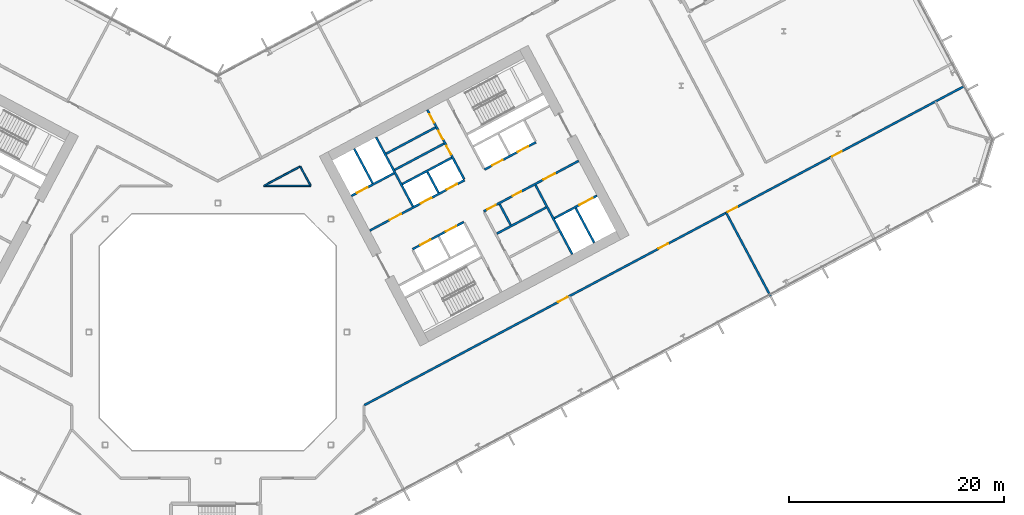
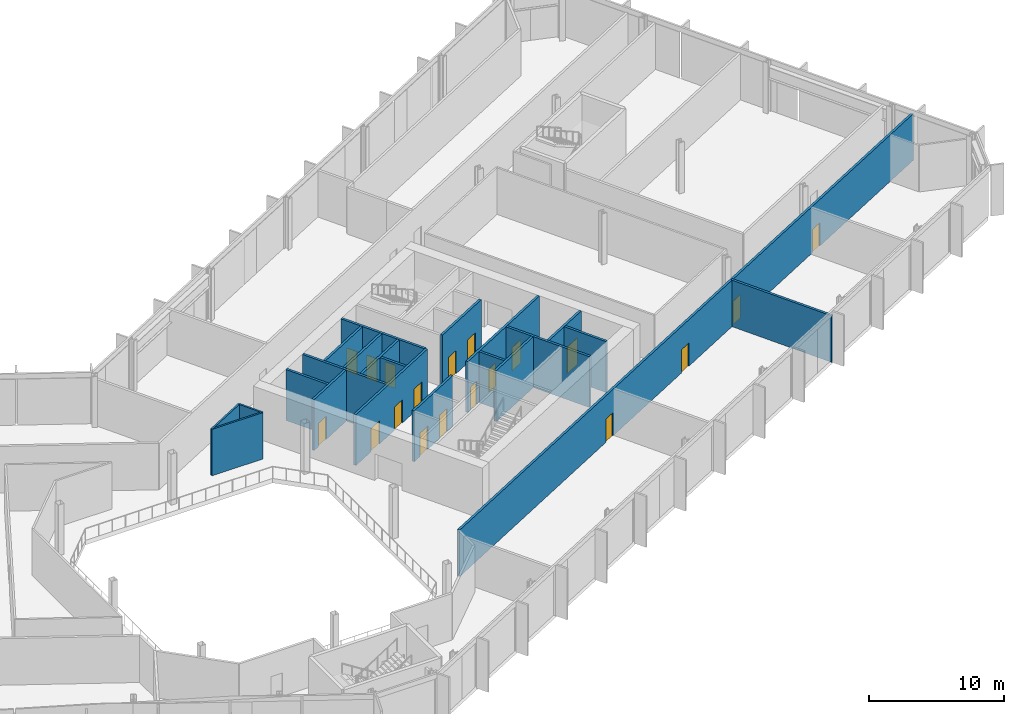
# One storey, part 18 of 32: 22 walls, 19 doors, 19 openings.
"""IFC4 building model written with IfcOpenShell, lengths in metres."""

from ifc_helpers import new_model, si_unit, direction, frame, frame_2d, origin, place, context, subcontext, project, spatial, rectangle, extrude, material, layer, layer_set, type_object, element, fill, save


model = new_model("IFC4")

# Units and contexts
model_context = context("Model", 3, precision=1e-05, world=origin(), true_north=direction((0.0, 1.0)))
body_context = subcontext(model_context, "Body", "Model", "MODEL_VIEW")
ifc_project = project(units=[si_unit("LENGTHUNIT", "METRE"), si_unit("AREAUNIT", "SQUARE_METRE"), si_unit("VOLUMEUNIT", "CUBIC_METRE"), si_unit("PLANEANGLEUNIT", "RADIAN"), si_unit("MASSUNIT", "GRAM", prefix="KILO")], contexts=[model_context])

# Site, building, storey
site_placement = place(None, origin())
site = spatial("IfcSite", under=ifc_project, at=site_placement, CompositionType="ELEMENT")
building_placement = place(site_placement, origin())
building = spatial("IfcBuilding", under=site, at=building_placement, Name="Cormorant Relay Tower", CompositionType="ELEMENT")
storey_placement = place(building_placement, frame((0.0, 0.0, 75.39990234375)))
storey = spatial("IfcBuildingStorey", under=building, at=storey_placement, Name="L14", CompositionType="ELEMENT", Elevation=75.39990234375)

# Walls
ifc_material_1 = material(Name="Concrete 40 MPa", Category="concrete")
ifc_layer_1 = layer(ifc_material_1, 0.199951171875)
ifc_layer_set_1 = layer_set([ifc_layer_1], Name="Core internal wall 200")
wall_type_1 = type_object("IfcWallType", Name="Core internal wall 200", PredefinedType="SOLIDWALL", material=ifc_layer_set_1)
for number, where, z_axis, x_axis, name in (
    (1, (20.522216796875, 12.950439453125, 0.0), (0.0, 0.0, 1.0), (-0.469401318492, 0.882984938828, 0.0), "L14 core B shaft and room wall"),
    (2, (27.236083984375, 9.951416015625, 0.0), (0.0, 0.0, 1.0), (-0.4694473164, 0.882960484464, 0.0), "L14 core B shaft and room wall"),
):
    element("IfcWall", number, at=place(storey_placement, frame(where, z_axis=z_axis, x_axis=x_axis)), inside=storey, type_object=wall_type_1, Name=name, PredefinedType="SOLIDWALL", context=body_context, shape_type="SweptSolid", body=[
        extrude(rectangle(XDim=2.199951171875, YDim=0.199951171875, at=frame_2d((1.10009765625, 0.0))), origin(), (0.0, 0.0, 1.0), 4.60009765625),
    ])
for number, where, z_axis, x_axis, name in (
    (3, (16.442626953125, 15.085205078125, 0.0), (0.0, 0.0, 1.0), (0.882953967957, 0.469459572775, 0.0), "L14 core B shaft and room wall"),
    (4, (15.64453125, 16.586181640625, 0.0), (0.0, 0.0, 1.0), (0.882953967957, 0.469459572775, 0.0), "L14 core B shaft and room wall"),
):
    element("IfcWall", number, at=place(storey_placement, frame(where, z_axis=z_axis, x_axis=x_axis)), inside=storey, type_object=wall_type_1, Name=name, PredefinedType="SOLIDWALL", context=body_context, shape_type="SweptSolid", body=[
        extrude(rectangle(XDim=5.199951171875, YDim=0.199951171875, at=frame_2d((2.60009765625, 0.0))), origin(), (0.0, 0.0, 1.0), 4.60009765625),
    ])
ifc_material_2 = material(Name="Concrete 50 MPa", Category="concrete")
ifc_layer_2 = layer(ifc_material_2, 0.199951171875)
ifc_layer_set_2 = layer_set([ifc_layer_2], Name="Core shaft wall 200")
wall_type_2 = type_object("IfcWallType", Name="Core shaft wall 200", PredefinedType="SHEAR", material=ifc_layer_set_2)
wall_1_placement = place(storey_placement, frame((14.39404296875, 13.825927734375, 0.0), z_axis=(0.0, 0.0, 1.0), x_axis=(-0.469494272526, 0.882935517501, 0.0)))
element("IfcWall", 5, at=wall_1_placement, inside=storey, type_object=wall_type_2, Name="L14 core B shaft wall", PredefinedType="SHEAR", context=body_context, shape_type="SweptSolid", body=[
    extrude(rectangle(XDim=3.64990234375, YDim=0.199951171875, at=frame_2d((1.824951171875, 0.0))), origin(), (0.0, 0.0, 1.0), 4.60009765625),
])
wall_2_placement = place(storey_placement, frame((18.138427734375, 11.682861328125, 0.0), z_axis=(0.0, 0.0, 1.0), x_axis=(-0.469480409012, 0.88294288918, 0.0)))
element("IfcWall", 6, at=wall_2_placement, inside=storey, type_object=wall_type_2, Name="L14 core B shaft wall", PredefinedType="SHEAR", context=body_context, shape_type="SweptSolid", body=[
    extrude(rectangle(XDim=7.300048828125, YDim=0.199951171875, at=frame_2d((3.64990234375, 0.0))), origin(), (0.0, 0.0, 1.0), 4.60009765625),
])

# Wall, openings, doors
wall_3_placement = place(storey_placement, frame((22.90625, 14.218017578125, 0.0), z_axis=(0.0, 0.0, 1.0), x_axis=(-0.469480409012, 0.88294288918, 0.0)))
wall_3 = element("IfcWall", 7, at=wall_3_placement, inside=storey, type_object=wall_type_2, Name="L14 core B shaft wall", PredefinedType="SHEAR", context=body_context, shape_type="SweptSolid", body=[
    extrude(rectangle(XDim=7.300048828125, YDim=0.199951171875, at=frame_2d((3.64990234375, 0.0))), origin(), (0.0, 0.0, 1.0), 4.60009765625),
])
opening_1_placement = place(wall_3_placement, frame((2.60009765625, 0.0, 0.0)))
opening_1 = element("IfcOpeningElement", 8, at=opening_1_placement, cuts=wall_3, Name="Opening CDD-121", PredefinedType="OPENING", context=body_context, shape_type="SweptSolid", body=[
    extrude(rectangle(XDim=0.89990234375, YDim=2.10009765625, at=frame_2d((0.449951171875, 1.050048828125))), frame((0.0, 0.10986328125, 0.0), z_axis=(0.0, -1.0, 0.0), x_axis=(1.0, 0.0, 0.0)), (0.0, 0.0, 1.0), 0.219970703125),
])
opening_2_placement = place(wall_3_placement, frame((4.199951171875, 0.0, 0.0)))
opening_2 = element("IfcOpeningElement", 9, at=opening_2_placement, cuts=wall_3, Name="Opening CDD-122", PredefinedType="OPENING", context=body_context, shape_type="SweptSolid", body=[
    extrude(rectangle(XDim=0.89990234375, YDim=2.10009765625, at=frame_2d((0.449951171875, 1.050048828125))), frame((0.0, 0.10986328125, 0.0), z_axis=(0.0, -1.0, 0.0), x_axis=(1.0, 0.0, 0.0)), (0.0, 0.0, 1.0), 0.219970703125),
])
opening_3_placement = place(wall_3_placement, frame((5.949951171875, 0.0, 0.0)))
opening_3 = element("IfcOpeningElement", 10, at=opening_3_placement, cuts=wall_3, Name="Opening CDD-123", PredefinedType="OPENING", context=body_context, shape_type="SweptSolid", body=[
    extrude(rectangle(XDim=0.89990234375, YDim=2.10009765625, at=frame_2d((0.449951171875, 1.050048828125))), frame((0.0, 0.10986328125, 0.0), z_axis=(0.0, -1.0, 0.0), x_axis=(1.0, 0.0, 0.0)), (0.0, 0.0, 1.0), 0.219970703125),
])
ifc_material_3 = material(Name="Steel fire door", Category="steel")
door_type_1 = type_object("IfcDoorType", Name="Core room door 900x2100", OperationType="SINGLE_SWING_LEFT", PredefinedType="DOOR", material=ifc_material_3)
door_1_placement = place(opening_1_placement, origin())
door_1 = element("IfcDoor", 11, at=door_1_placement, inside=storey, type_object=door_type_1, Name="Core room door 900x2100", OperationType="SINGLE_SWING_RIGHT", OverallHeight=2.10009765625, OverallWidth=0.89990234375, PredefinedType="DOOR", context=body_context, shape_type="SweptSolid", body=[
    extrude(rectangle(XDim=0.89990234375, YDim=2.10009765625, at=frame_2d((0.449951171875, 1.050048828125))), frame((0.0, 0.02490234375, 0.0), z_axis=(0.0, -1.0, 0.0), x_axis=(1.0, 0.0, 0.0)), (0.0, 0.0, 1.0), 0.050048828125),
])
fill(opening_1, door_1)
door_2_placement = place(opening_2_placement, origin())
door_2 = element("IfcDoor", 12, at=door_2_placement, inside=storey, type_object=door_type_1, Name="Core room door 900x2100", OperationType="SINGLE_SWING_RIGHT", OverallHeight=2.10009765625, OverallWidth=0.89990234375, PredefinedType="DOOR", context=body_context, shape_type="SweptSolid", body=[
    extrude(rectangle(XDim=0.89990234375, YDim=2.10009765625, at=frame_2d((0.449951171875, 1.050048828125))), frame((0.0, 0.02490234375, 0.0), z_axis=(0.0, -1.0, 0.0), x_axis=(1.0, 0.0, 0.0)), (0.0, 0.0, 1.0), 0.050048828125),
])
fill(opening_2, door_2)
door_3_placement = place(opening_3_placement, origin())
door_3 = element("IfcDoor", 13, at=door_3_placement, inside=storey, type_object=door_type_1, Name="Core room door 900x2100", OperationType="SINGLE_SWING_LEFT", OverallHeight=2.10009765625, OverallWidth=0.89990234375, PredefinedType="DOOR", context=body_context, shape_type="SweptSolid", body=[
    extrude(rectangle(XDim=0.89990234375, YDim=2.10009765625, at=frame_2d((0.449951171875, 1.050048828125))), frame((0.0, 0.02490234375, 0.0), z_axis=(0.0, -1.0, 0.0), x_axis=(1.0, 0.0, 0.0)), (0.0, 0.0, 1.0), 0.050048828125),
])
fill(opening_3, door_3)

# Walls
wall_4_placement = place(storey_placement, frame((32.968017578125, 7.222900390625, 0.0), z_axis=(0.0, 0.0, 1.0), x_axis=(-0.469480409012, 0.88294288918, 0.0)))
element("IfcWall", 14, at=wall_4_placement, inside=storey, type_object=wall_type_2, Name="L14 core B shaft wall", PredefinedType="SHEAR", context=body_context, shape_type="SweptSolid", body=[
    extrude(rectangle(XDim=7.300048828125, YDim=0.199951171875, at=frame_2d((3.64990234375, 0.0))), origin(), (0.0, 0.0, 1.0), 4.60009765625),
])
wall_5_placement = place(storey_placement, frame((34.998779296875, 8.302734375, 0.0), z_axis=(0.0, 0.0, 1.0), x_axis=(-0.4694665462, 0.882950260207, 0.0)))
element("IfcWall", 15, at=wall_5_placement, inside=storey, type_object=wall_type_2, Name="L14 core B shaft wall", PredefinedType="SHEAR", context=body_context, shape_type="SweptSolid", body=[
    extrude(rectangle(XDim=3.650146484375, YDim=0.199951171875, at=frame_2d((1.8251953125, 0.0))), origin(), (0.0, 0.0, 1.0), 4.60009765625),
])

# Wall, opening, door
wall_6_placement = place(storey_placement, frame((31.295654296875, 10.5810546875, 0.0), z_axis=(0.0, 0.0, 1.0), x_axis=(0.882960433586, 0.469447412093, 0.0)))
wall_6 = element("IfcWall", 16, at=wall_6_placement, inside=storey, type_object=wall_type_2, Name="L14 core B shaft wall", PredefinedType="SHEAR", context=body_context, shape_type="SweptSolid", body=[
    extrude(rectangle(XDim=4.5, YDim=0.199951171875, at=frame_2d((2.25, 0.0))), origin(), (0.0, 0.0, 1.0), 4.60009765625),
])
opening_4_placement = place(wall_6_placement, frame((2.64990234375, 0.0, 0.0)))
opening_4 = element("IfcOpeningElement", 17, at=opening_4_placement, cuts=wall_6, Name="Opening LD3-010", PredefinedType="OPENING", context=body_context, shape_type="SweptSolid", body=[
    extrude(rectangle(XDim=1.39990234375, YDim=2.39990234375, at=frame_2d((0.699951171875, 1.199951171875))), frame((0.0, 0.10986328125, 0.0), z_axis=(0.0, -1.0, 0.0), x_axis=(1.0, 0.0, 0.0)), (0.0, 0.0, 1.0), 0.219970703125),
])
ifc_material_4 = material(Name="Stainless steel 316", Category="steel")
door_type_2 = type_object("IfcDoorType", Name="Lift landing door 1400x2400", OperationType="DOUBLE_DOOR_SLIDING", PredefinedType="DOOR", material=ifc_material_4)
door_4_placement = place(opening_4_placement, origin())
door_4 = element("IfcDoor", 18, at=door_4_placement, inside=storey, type_object=door_type_2, Name="SV2 landing door", OperationType="DOUBLE_DOOR_SLIDING", OverallHeight=2.39990234375, OverallWidth=1.39990234375, PredefinedType="DOOR", context=body_context, shape_type="SweptSolid", body=[
    extrude(rectangle(XDim=1.39990234375, YDim=2.39990234375, at=frame_2d((0.699951171875, 1.199951171875))), frame((0.0, 0.02490234375, 0.0), z_axis=(0.0, -1.0, 0.0), x_axis=(1.0, 0.0, 0.0)), (0.0, 0.0, 1.0), 0.050048828125),
])
fill(opening_4, door_4)

# Wall
wall_7_placement = place(storey_placement, frame((25.94091796875, 9.149658203125, 0.0), z_axis=(0.0, 0.0, 1.0), x_axis=(0.882953967957, 0.469459572775, 0.0)))
element("IfcWall", 19, at=wall_7_placement, inside=storey, type_object=wall_type_2, Name="L14 core B shaft wall", PredefinedType="SHEAR", context=body_context, shape_type="SweptSolid", body=[
    extrude(rectangle(XDim=5.199951171875, YDim=0.199951171875, at=frame_2d((2.60009765625, 0.0))), origin(), (0.0, 0.0, 1.0), 4.60009765625),
])

# Wall, openings, doors
wall_8_placement = place(storey_placement, frame((18.103759765625, 7.70068359375, 0.0), z_axis=(0.0, 0.0, 1.0), x_axis=(0.882952937579, 0.469461510692, 0.0)))
wall_8 = element("IfcWall", 20, at=wall_8_placement, inside=storey, type_object=wall_type_2, Name="L14 core B shaft wall", PredefinedType="SHEAR", context=body_context, shape_type="SweptSolid", body=[
    extrude(rectangle(XDim=5.400146484375, YDim=0.199951171875, at=frame_2d((2.7001953125, 0.0))), origin(), (0.0, 0.0, 1.0), 4.60009765625),
])
opening_5_placement = place(wall_8_placement, frame((0.800048828125, 0.0, 0.0)))
opening_5 = element("IfcOpeningElement", 21, at=opening_5_placement, cuts=wall_8, Name="Opening LD1-032", PredefinedType="OPENING", context=body_context, shape_type="SweptSolid", body=[
    extrude(rectangle(XDim=1.10009765625, YDim=2.10009765625, at=frame_2d((0.550048828125, 1.050048828125))), frame((0.0, 0.10986328125, 0.0), z_axis=(0.0, -1.0, 0.0), x_axis=(1.0, 0.0, 0.0)), (0.0, 0.0, 1.0), 0.219970703125),
])
opening_6_placement = place(wall_8_placement, frame((3.5, 0.0, 0.0)))
opening_6 = element("IfcOpeningElement", 22, at=opening_6_placement, cuts=wall_8, Name="Opening LD1-033", PredefinedType="OPENING", context=body_context, shape_type="SweptSolid", body=[
    extrude(rectangle(XDim=1.10009765625, YDim=2.10009765625, at=frame_2d((0.550048828125, 1.050048828125))), frame((0.0, 0.10986328125, 0.0), z_axis=(0.0, -1.0, 0.0), x_axis=(1.0, 0.0, 0.0)), (0.0, 0.0, 1.0), 0.219970703125),
])
ifc_material_5 = material(Name="Stainless steel 316", Category="steel")
door_type_3 = type_object("IfcDoorType", Name="Lift landing door 1100x2100", OperationType="DOUBLE_DOOR_SLIDING", PredefinedType="DOOR", material=ifc_material_5)
door_5_placement = place(opening_5_placement, origin())
door_5 = element("IfcDoor", 23, at=door_5_placement, inside=storey, type_object=door_type_3, Name="LR5 landing door", OperationType="DOUBLE_DOOR_SLIDING", OverallHeight=2.10009765625, OverallWidth=1.10009765625, PredefinedType="DOOR", context=body_context, shape_type="SweptSolid", body=[
    extrude(rectangle(XDim=1.10009765625, YDim=2.10009765625, at=frame_2d((0.550048828125, 1.050048828125))), frame((0.0, 0.02490234375, 0.0), z_axis=(0.0, -1.0, 0.0), x_axis=(1.0, 0.0, 0.0)), (0.0, 0.0, 1.0), 0.050048828125),
])
fill(opening_5, door_5)
door_6_placement = place(opening_6_placement, origin())
door_6 = element("IfcDoor", 24, at=door_6_placement, inside=storey, type_object=door_type_3, Name="LR6 landing door", OperationType="DOUBLE_DOOR_SLIDING", OverallHeight=2.10009765625, OverallWidth=1.10009765625, PredefinedType="DOOR", context=body_context, shape_type="SweptSolid", body=[
    extrude(rectangle(XDim=1.10009765625, YDim=2.10009765625, at=frame_2d((0.550048828125, 1.050048828125))), frame((0.0, 0.02490234375, 0.0), z_axis=(0.0, -1.0, 0.0), x_axis=(1.0, 0.0, 0.0)), (0.0, 0.0, 1.0), 0.050048828125),
])
fill(opening_6, door_6)

wall_9_placement = place(storey_placement, frame((24.72607421875, 11.2216796875, 0.0), z_axis=(0.0, 0.0, 1.0), x_axis=(0.882940221191, 0.469485426614, 0.0)))
wall_9 = element("IfcWall", 25, at=wall_9_placement, inside=storey, type_object=wall_type_2, Name="L14 core B shaft wall", PredefinedType="SHEAR", context=body_context, shape_type="SweptSolid", body=[
    extrude(rectangle(XDim=10.0, YDim=0.199951171875, at=frame_2d((5.0, 0.0))), origin(), (0.0, 0.0, 1.0), 4.60009765625),
])
opening_7_placement = place(wall_9_placement, frame((6.300048828125, 0.0, 0.0)))
opening_7 = element("IfcOpeningElement", 26, at=opening_7_placement, cuts=wall_9, Name="Opening CDC-020", PredefinedType="OPENING", context=body_context, shape_type="SweptSolid", body=[
    extrude(rectangle(XDim=1.199951171875, YDim=2.10009765625, at=frame_2d((0.60009765625, 1.050048828125))), frame((0.0, 0.10986328125, 0.0), z_axis=(0.0, -1.0, 0.0), x_axis=(1.0, 0.0, 0.0)), (0.0, 0.0, 1.0), 0.219970703125),
])
opening_8_placement = place(wall_9_placement, frame((0.360107421875, 0.0, 0.0)))
opening_8 = element("IfcOpeningElement", 27, at=opening_8_placement, cuts=wall_9, Name="Opening CDD-119", PredefinedType="OPENING", context=body_context, shape_type="SweptSolid", body=[
    extrude(rectangle(XDim=0.89990234375, YDim=2.10009765625, at=frame_2d((0.449951171875, 1.050048828125))), frame((0.0, 0.10986328125, 0.0), z_axis=(0.0, -1.0, 0.0), x_axis=(1.0, 0.0, 0.0)), (0.0, 0.0, 1.0), 0.219970703125),
])
opening_9_placement = place(wall_9_placement, frame((3.06005859375, 0.0, 0.0)))
opening_9 = element("IfcOpeningElement", 28, at=opening_9_placement, cuts=wall_9, Name="Opening CDD-120", PredefinedType="OPENING", context=body_context, shape_type="SweptSolid", body=[
    extrude(rectangle(XDim=0.89990234375, YDim=2.10009765625, at=frame_2d((0.449951171875, 1.050048828125))), frame((0.0, 0.10986328125, 0.0), z_axis=(0.0, -1.0, 0.0), x_axis=(1.0, 0.0, 0.0)), (0.0, 0.0, 1.0), 0.219970703125),
])
ifc_material_6 = material(Name="Steel fire door", Category="steel")
door_type_4 = type_object("IfcDoorType", Name="Core lobby door 1200x2100", OperationType="SINGLE_SWING_LEFT", PredefinedType="DOOR", material=ifc_material_6)
door_7_placement = place(opening_7_placement, frame((1.199951171875, 0.0, 0.0), z_axis=(0.0, 0.0, 1.0), x_axis=(-1.0, 0.0, 0.0)))
door_7 = element("IfcDoor", 29, at=door_7_placement, inside=storey, type_object=door_type_4, Name="Core lobby door 1200x2100", OperationType="SINGLE_SWING_RIGHT", OverallHeight=2.10009765625, OverallWidth=1.199951171875, PredefinedType="DOOR", context=body_context, shape_type="SweptSolid", body=[
    extrude(rectangle(XDim=1.199951171875, YDim=2.10009765625, at=frame_2d((0.60009765625, 1.050048828125))), frame((0.0, 0.02490234375, 0.0), z_axis=(0.0, -1.0, 0.0), x_axis=(1.0, 0.0, 0.0)), (0.0, 0.0, 1.0), 0.050048828125),
])
fill(opening_7, door_7)
door_8_placement = place(opening_8_placement, frame((0.89990234375, 0.0, 0.0), z_axis=(0.0, 0.0, 1.0), x_axis=(-1.0, 0.0, 0.0)))
door_8 = element("IfcDoor", 30, at=door_8_placement, inside=storey, type_object=door_type_1, Name="Core room door 900x2100", OperationType="SINGLE_SWING_RIGHT", OverallHeight=2.10009765625, OverallWidth=0.89990234375, PredefinedType="DOOR", context=body_context, shape_type="SweptSolid", body=[
    extrude(rectangle(XDim=0.89990234375, YDim=2.10009765625, at=frame_2d((0.449951171875, 1.050048828125))), frame((0.0, 0.02490234375, 0.0), z_axis=(0.0, -1.0, 0.0), x_axis=(1.0, 0.0, 0.0)), (0.0, 0.0, 1.0), 0.050048828125),
])
fill(opening_8, door_8)
door_9_placement = place(opening_9_placement, frame((0.89990234375, 0.0, 0.0), z_axis=(0.0, 0.0, 1.0), x_axis=(-1.0, 0.0, 0.0)))
door_9 = element("IfcDoor", 31, at=door_9_placement, inside=storey, type_object=door_type_1, Name="Core room door 900x2100", OperationType="SINGLE_SWING_RIGHT", OverallHeight=2.10009765625, OverallWidth=0.89990234375, PredefinedType="DOOR", context=body_context, shape_type="SweptSolid", body=[
    extrude(rectangle(XDim=0.89990234375, YDim=2.10009765625, at=frame_2d((0.449951171875, 1.050048828125))), frame((0.0, 0.02490234375, 0.0), z_axis=(0.0, -1.0, 0.0), x_axis=(1.0, 0.0, 0.0)), (0.0, 0.0, 1.0), 0.050048828125),
])
fill(opening_9, door_9)

wall_10_placement = place(storey_placement, frame((14.123779296875, 9.43505859375, 0.0), z_axis=(0.0, 0.0, 1.0), x_axis=(0.882940221191, 0.469485426614, 0.0)))
wall_10 = element("IfcWall", 32, at=wall_10_placement, inside=storey, type_object=wall_type_2, Name="L14 core B shaft wall", PredefinedType="SHEAR", context=body_context, shape_type="SweptSolid", body=[
    extrude(rectangle(XDim=10.0, YDim=0.199951171875, at=frame_2d((5.0, 0.0))), origin(), (0.0, 0.0, 1.0), 4.60009765625),
])
opening_10_placement = place(wall_10_placement, frame((2.10009765625, 0.0, 0.0)))
opening_10 = element("IfcOpeningElement", 33, at=opening_10_placement, cuts=wall_10, Name="Opening CDC-019", PredefinedType="OPENING", context=body_context, shape_type="SweptSolid", body=[
    extrude(rectangle(XDim=1.199951171875, YDim=2.10009765625, at=frame_2d((0.60009765625, 1.050048828125))), frame((0.0, 0.10986328125, 0.0), z_axis=(0.0, -1.0, 0.0), x_axis=(1.0, 0.0, 0.0)), (0.0, 0.0, 1.0), 0.219970703125),
])
opening_11_placement = place(wall_10_placement, frame((5.39990234375, 0.0, 0.0)))
opening_11 = element("IfcOpeningElement", 34, at=opening_11_placement, cuts=wall_10, Name="Opening LD1-028", PredefinedType="OPENING", context=body_context, shape_type="SweptSolid", body=[
    extrude(rectangle(XDim=1.10009765625, YDim=2.10009765625, at=frame_2d((0.550048828125, 1.050048828125))), frame((0.0, 0.10986328125, 0.0), z_axis=(0.0, -1.0, 0.0), x_axis=(1.0, 0.0, 0.0)), (0.0, 0.0, 1.0), 0.219970703125),
])
opening_12_placement = place(wall_10_placement, frame((8.10009765625, 0.0, 0.0)))
opening_12 = element("IfcOpeningElement", 35, at=opening_12_placement, cuts=wall_10, Name="Opening LD1-029", PredefinedType="OPENING", context=body_context, shape_type="SweptSolid", body=[
    extrude(rectangle(XDim=1.10009765625, YDim=2.10009765625, at=frame_2d((0.550048828125, 1.050048828125))), frame((0.0, 0.10986328125, 0.0), z_axis=(0.0, -1.0, 0.0), x_axis=(1.0, 0.0, 0.0)), (0.0, 0.0, 1.0), 0.219970703125),
])
door_10_placement = place(opening_10_placement, origin())
door_10 = element("IfcDoor", 36, at=door_10_placement, inside=storey, type_object=door_type_4, Name="Core lobby door 1200x2100", OperationType="SINGLE_SWING_RIGHT", OverallHeight=2.10009765625, OverallWidth=1.199951171875, PredefinedType="DOOR", context=body_context, shape_type="SweptSolid", body=[
    extrude(rectangle(XDim=1.199951171875, YDim=2.10009765625, at=frame_2d((0.60009765625, 1.050048828125))), frame((0.0, 0.02490234375, 0.0), z_axis=(0.0, -1.0, 0.0), x_axis=(1.0, 0.0, 0.0)), (0.0, 0.0, 1.0), 0.050048828125),
])
fill(opening_10, door_10)
door_11_placement = place(opening_11_placement, origin())
door_11 = element("IfcDoor", 37, at=door_11_placement, inside=storey, type_object=door_type_3, Name="LR1 landing door", OperationType="DOUBLE_DOOR_SLIDING", OverallHeight=2.10009765625, OverallWidth=1.10009765625, PredefinedType="DOOR", context=body_context, shape_type="SweptSolid", body=[
    extrude(rectangle(XDim=1.10009765625, YDim=2.10009765625, at=frame_2d((0.550048828125, 1.050048828125))), frame((0.0, 0.02490234375, 0.0), z_axis=(0.0, -1.0, 0.0), x_axis=(1.0, 0.0, 0.0)), (0.0, 0.0, 1.0), 0.050048828125),
])
fill(opening_11, door_11)
door_12_placement = place(opening_12_placement, origin())
door_12 = element("IfcDoor", 38, at=door_12_placement, inside=storey, type_object=door_type_3, Name="LR2 landing door", OperationType="DOUBLE_DOOR_SLIDING", OverallHeight=2.10009765625, OverallWidth=1.10009765625, PredefinedType="DOOR", context=body_context, shape_type="SweptSolid", body=[
    extrude(rectangle(XDim=1.10009765625, YDim=2.10009765625, at=frame_2d((0.550048828125, 1.050048828125))), frame((0.0, 0.02490234375, 0.0), z_axis=(0.0, -1.0, 0.0), x_axis=(1.0, 0.0, 0.0)), (0.0, 0.0, 1.0), 0.050048828125),
])
fill(opening_12, door_12)

wall_11_placement = place(storey_placement, frame((24.807373046875, 15.11572265625, 0.0), z_axis=(0.0, 0.0, 1.0), x_axis=(0.882942972946, 0.469480251476, 0.0)))
wall_11 = element("IfcWall", 39, at=wall_11_placement, inside=storey, type_object=wall_type_2, Name="L14 core B shaft wall", PredefinedType="SHEAR", context=body_context, shape_type="SweptSolid", body=[
    extrude(rectangle(XDim=5.39990234375, YDim=0.199951171875, at=frame_2d((2.699951171875, 0.0))), origin(), (0.0, 0.0, 1.0), 4.60009765625),
])
opening_13_placement = place(wall_11_placement, frame((0.800048828125, 0.0, 0.0)))
opening_13 = element("IfcOpeningElement", 40, at=opening_13_placement, cuts=wall_11, Name="Opening LD1-030", PredefinedType="OPENING", context=body_context, shape_type="SweptSolid", body=[
    extrude(rectangle(XDim=1.10009765625, YDim=2.10009765625, at=frame_2d((0.550048828125, 1.050048828125))), frame((0.0, 0.10986328125, 0.0), z_axis=(0.0, -1.0, 0.0), x_axis=(1.0, 0.0, 0.0)), (0.0, 0.0, 1.0), 0.219970703125),
])
opening_14_placement = place(wall_11_placement, frame((3.5, 0.0, 0.0)))
opening_14 = element("IfcOpeningElement", 41, at=opening_14_placement, cuts=wall_11, Name="Opening LD1-031", PredefinedType="OPENING", context=body_context, shape_type="SweptSolid", body=[
    extrude(rectangle(XDim=1.10009765625, YDim=2.10009765625, at=frame_2d((0.550048828125, 1.050048828125))), frame((0.0, 0.10986328125, 0.0), z_axis=(0.0, -1.0, 0.0), x_axis=(1.0, 0.0, 0.0)), (0.0, 0.0, 1.0), 0.219970703125),
])
door_13_placement = place(opening_13_placement, origin())
door_13 = element("IfcDoor", 42, at=door_13_placement, inside=storey, type_object=door_type_3, Name="LR3 landing door", OperationType="DOUBLE_DOOR_SLIDING", OverallHeight=2.10009765625, OverallWidth=1.10009765625, PredefinedType="DOOR", context=body_context, shape_type="SweptSolid", body=[
    extrude(rectangle(XDim=1.10009765625, YDim=2.10009765625, at=frame_2d((0.550048828125, 1.050048828125))), frame((0.0, 0.02490234375, 0.0), z_axis=(0.0, -1.0, 0.0), x_axis=(1.0, 0.0, 0.0)), (0.0, 0.0, 1.0), 0.050048828125),
])
fill(opening_13, door_13)
door_14_placement = place(opening_14_placement, origin())
door_14 = element("IfcDoor", 43, at=door_14_placement, inside=storey, type_object=door_type_3, Name="LR4 landing door", OperationType="DOUBLE_DOOR_SLIDING", OverallHeight=2.10009765625, OverallWidth=1.10009765625, PredefinedType="DOOR", context=body_context, shape_type="SweptSolid", body=[
    extrude(rectangle(XDim=1.10009765625, YDim=2.10009765625, at=frame_2d((0.550048828125, 1.050048828125))), frame((0.0, 0.02490234375, 0.0), z_axis=(0.0, -1.0, 0.0), x_axis=(1.0, 0.0, 0.0)), (0.0, 0.0, 1.0), 0.050048828125),
])
fill(opening_14, door_14)

# Wall
wall_12_placement = place(storey_placement, frame((17.146728515625, 13.7607421875, 0.0), z_axis=(0.0, 0.0, 1.0), x_axis=(0.882964314875, 0.469440111896, 0.0)))
element("IfcWall", 44, at=wall_12_placement, inside=storey, type_object=wall_type_2, Name="L14 core B shaft wall", PredefinedType="SHEAR", context=body_context, shape_type="SweptSolid", body=[
    extrude(rectangle(XDim=5.2001953125, YDim=0.199951171875, at=frame_2d((2.60009765625, 0.0))), origin(), (0.0, 0.0, 1.0), 4.60009765625),
])

# Wall, opening, door
wall_13_placement = place(storey_placement, frame((12.41015625, 12.657958984375, 0.0), z_axis=(0.0, 0.0, 1.0), x_axis=(0.8829484765, 0.469469900894, 0.0)))
wall_13 = element("IfcWall", 45, at=wall_13_placement, inside=storey, type_object=wall_type_2, Name="L14 core B shaft wall", PredefinedType="SHEAR", context=body_context, shape_type="SweptSolid", body=[
    extrude(rectangle(XDim=4.499755859375, YDim=0.199951171875, at=frame_2d((2.25, 0.0))), origin(), (0.0, 0.0, 1.0), 4.60009765625),
])
opening_15_placement = place(wall_13_placement, frame((0.60009765625, 0.0, 0.0)))
opening_15 = element("IfcOpeningElement", 46, at=opening_15_placement, cuts=wall_13, Name="Opening LD1-034", PredefinedType="OPENING", context=body_context, shape_type="SweptSolid", body=[
    extrude(rectangle(XDim=1.10009765625, YDim=2.10009765625, at=frame_2d((0.550048828125, 1.050048828125))), frame((0.0, 0.10986328125, 0.0), z_axis=(0.0, -1.0, 0.0), x_axis=(1.0, 0.0, 0.0)), (0.0, 0.0, 1.0), 0.219970703125),
])
door_15_placement = place(opening_15_placement, origin())
door_15 = element("IfcDoor", 47, at=door_15_placement, inside=storey, type_object=door_type_3, Name="FF2 landing door", OperationType="DOUBLE_DOOR_SLIDING", OverallHeight=2.10009765625, OverallWidth=1.10009765625, PredefinedType="DOOR", context=body_context, shape_type="SweptSolid", body=[
    extrude(rectangle(XDim=1.10009765625, YDim=2.10009765625, at=frame_2d((0.550048828125, 1.050048828125))), frame((0.0, 0.02490234375, 0.0), z_axis=(0.0, -1.0, 0.0), x_axis=(1.0, 0.0, 0.0)), (0.0, 0.0, 1.0), 0.050048828125),
])
fill(opening_15, door_15)

# Wall, openings, doors
ifc_material_7 = material(Name="Fire-rated gypsum board partition")
ifc_layer_3 = layer(ifc_material_7, 0.199951171875)
ifc_layer_set_3 = layer_set([ifc_layer_3], Name="Fire-rated gypsum partition 200")
wall_type_3 = type_object("IfcWallType", Name="Fire-rated gypsum partition 200", PredefinedType="PARTITIONING", material=ifc_layer_set_3)
wall_14_placement = place(storey_placement, frame((69.570068359375, 22.947998046875, 0.0), z_axis=(0.0, 0.0, 1.0), x_axis=(-0.882939582192, -0.469486628349, 0.0)))
wall_14 = element("IfcWall", 48, at=wall_14_placement, inside=storey, type_object=wall_type_3, Name="wall/L14/part/35", PredefinedType="PARTITIONING", context=body_context, shape_type="SweptSolid", body=[
    extrude(rectangle(XDim=63.390380859375, YDim=0.199951171875, at=frame_2d((31.6953125, 0.0))), origin(), (0.0, 0.0, 1.0), 4.2001953125),
])
opening_16_placement = place(wall_14_placement, frame((41.970947265625, 0.0, 0.0)))
opening_16 = element("IfcOpeningElement", 49, at=opening_16_placement, cuts=wall_14, Name="Opening FD1-077", PredefinedType="OPENING", context=body_context, shape_type="SweptSolid", body=[
    extrude(rectangle(XDim=1.0, YDim=2.10009765625, at=frame_2d((0.5, 1.050048828125))), frame((0.0, 0.10986328125, 0.0), z_axis=(0.0, -1.0, 0.0), x_axis=(1.0, 0.0, 0.0)), (0.0, 0.0, 1.0), 0.219970703125),
])
opening_17_placement = place(wall_14_placement, frame((31.37109375, 0.0, 0.0)))
opening_17 = element("IfcOpeningElement", 50, at=opening_17_placement, cuts=wall_14, Name="Opening FD1-078", PredefinedType="OPENING", context=body_context, shape_type="SweptSolid", body=[
    extrude(rectangle(XDim=1.0, YDim=2.10009765625, at=frame_2d((0.5, 1.050048828125))), frame((0.0, 0.10986328125, 0.0), z_axis=(0.0, -1.0, 0.0), x_axis=(1.0, 0.0, 0.0)), (0.0, 0.0, 1.0), 0.219970703125),
])
opening_18_placement = place(wall_14_placement, frame((24.071044921875, 0.0, 0.0)))
opening_18 = element("IfcOpeningElement", 51, at=opening_18_placement, cuts=wall_14, Name="Opening FD1-079", PredefinedType="OPENING", context=body_context, shape_type="SweptSolid", body=[
    extrude(rectangle(XDim=1.0, YDim=2.10009765625, at=frame_2d((0.5, 1.050048828125))), frame((0.0, 0.10986328125, 0.0), z_axis=(0.0, -1.0, 0.0), x_axis=(1.0, 0.0, 0.0)), (0.0, 0.0, 1.0), 0.219970703125),
])
opening_19_placement = place(wall_14_placement, frame((13.071044921875, 0.0, 0.0)))
opening_19 = element("IfcOpeningElement", 52, at=opening_19_placement, cuts=wall_14, Name="Opening FD1-080", PredefinedType="OPENING", context=body_context, shape_type="SweptSolid", body=[
    extrude(rectangle(XDim=1.0, YDim=2.10009765625, at=frame_2d((0.5, 1.050048828125))), frame((0.0, 0.10986328125, 0.0), z_axis=(0.0, -1.0, 0.0), x_axis=(1.0, 0.0, 0.0)), (0.0, 0.0, 1.0), 0.219970703125),
])
ifc_material_8 = material(Name="Fire-rated steel door", Category="steel")
door_type_5 = type_object("IfcDoorType", Name="Fire door 1000 x 2100", OperationType="SINGLE_SWING_LEFT", PredefinedType="DOOR", material=ifc_material_8)
door_16_placement = place(opening_16_placement, origin())
door_16 = element("IfcDoor", 53, at=door_16_placement, inside=storey, type_object=door_type_5, Name="door/L14/13", OperationType="SINGLE_SWING_LEFT", OverallHeight=2.10009765625, OverallWidth=1.0, PredefinedType="DOOR", context=body_context, shape_type="SweptSolid", body=[
    extrude(rectangle(XDim=1.0, YDim=2.10009765625, at=frame_2d((0.5, 1.050048828125))), frame((0.0, 0.02490234375, 0.0), z_axis=(0.0, -1.0, 0.0), x_axis=(1.0, 0.0, 0.0)), (0.0, 0.0, 1.0), 0.050048828125),
])
fill(opening_16, door_16)
door_17_placement = place(opening_17_placement, origin())
door_17 = element("IfcDoor", 54, at=door_17_placement, inside=storey, type_object=door_type_5, Name="door/L14/14", OperationType="SINGLE_SWING_RIGHT", OverallHeight=2.10009765625, OverallWidth=1.0, PredefinedType="DOOR", context=body_context, shape_type="SweptSolid", body=[
    extrude(rectangle(XDim=1.0, YDim=2.10009765625, at=frame_2d((0.5, 1.050048828125))), frame((0.0, 0.02490234375, 0.0), z_axis=(0.0, -1.0, 0.0), x_axis=(1.0, 0.0, 0.0)), (0.0, 0.0, 1.0), 0.050048828125),
])
fill(opening_17, door_17)
door_18_placement = place(opening_18_placement, origin())
door_18 = element("IfcDoor", 55, at=door_18_placement, inside=storey, type_object=door_type_5, Name="door/L14/15", OperationType="SINGLE_SWING_RIGHT", OverallHeight=2.10009765625, OverallWidth=1.0, PredefinedType="DOOR", context=body_context, shape_type="SweptSolid", body=[
    extrude(rectangle(XDim=1.0, YDim=2.10009765625, at=frame_2d((0.5, 1.050048828125))), frame((0.0, 0.02490234375, 0.0), z_axis=(0.0, -1.0, 0.0), x_axis=(1.0, 0.0, 0.0)), (0.0, 0.0, 1.0), 0.050048828125),
])
fill(opening_18, door_18)
door_19_placement = place(opening_19_placement, origin())
door_19 = element("IfcDoor", 56, at=door_19_placement, inside=storey, type_object=door_type_5, Name="door/L14/16", OperationType="SINGLE_SWING_RIGHT", OverallHeight=2.10009765625, OverallWidth=1.0, PredefinedType="DOOR", context=body_context, shape_type="SweptSolid", body=[
    extrude(rectangle(XDim=1.0, YDim=2.10009765625, at=frame_2d((0.5, 1.050048828125))), frame((0.0, 0.02490234375, 0.0), z_axis=(0.0, -1.0, 0.0), x_axis=(1.0, 0.0, 0.0)), (0.0, 0.0, 1.0), 0.050048828125),
])
fill(opening_19, door_19)

# Walls
wall_15_placement = place(storey_placement, frame((47.278076171875, 11.093994140625, 0.0), z_axis=(0.0, 0.0, 1.0), x_axis=(0.469337789067, -0.883018708609, 0.0)))
element("IfcWall", 57, at=wall_15_placement, inside=storey, type_object=wall_type_3, Name="wall/L14/part/43", PredefinedType="PARTITIONING", context=body_context, shape_type="SweptSolid", body=[
    extrude(rectangle(XDim=8.79931640625, YDim=0.199951171875, at=frame_2d((4.399658203125, 0.0))), origin(), (0.0, 0.0, 1.0), 4.2001953125),
])
ifc_material_9 = material(Name="Gypsum board partition")
ifc_layer_4 = layer(ifc_material_9, 0.14990234375)
ifc_layer_set_4 = layer_set([ifc_layer_4], Name="Gypsum board partition 150")
wall_type_4 = type_object("IfcWallType", Name="Gypsum board partition 150", PredefinedType="PARTITIONING", material=ifc_layer_set_4)
wall_16_placement = place(storey_placement, frame((8.625, 13.60009765625, 0.0), z_axis=(0.0, 0.0, 1.0), x_axis=(-0.469420518513, 0.882974731688, 0.0)))
element("IfcWall", 58, at=wall_16_placement, inside=storey, type_object=wall_type_4, Name="wall/L14/part/61", PredefinedType="PARTITIONING", context=body_context, shape_type="SweptSolid", body=[
    extrude(rectangle(XDim=2.040771484375, YDim=0.14990234375, at=frame_2d((1.0205078125, 0.0))), origin(), (0.0, 0.0, 1.0), 4.2001953125),
])
wall_17_placement = place(storey_placement, frame((7.6669921875, 15.402099609375, 0.0), z_axis=(0.0, 0.0, 1.0), x_axis=(-0.882994654303, -0.469383042378, 0.0)))
element("IfcWall", 59, at=wall_17_placement, inside=storey, type_object=wall_type_4, Name="wall/L14/part/62", PredefinedType="PARTITIONING", context=body_context, shape_type="SweptSolid", body=[
    extrude(rectangle(XDim=3.839111328125, YDim=0.14990234375, at=frame_2d((1.91943359375, 0.0))), origin(), (0.0, 0.0, 1.0), 4.2001953125),
])
wall_18_placement = place(storey_placement, frame((4.277099609375, 13.60009765625, 0.0), z_axis=(0.0, 0.0, 1.0), x_axis=(1.0, 0.0, 0.0)))
element("IfcWall", 60, at=wall_18_placement, inside=storey, type_object=wall_type_4, Name="wall/L14/part/63", PredefinedType="PARTITIONING", context=body_context, shape_type="SweptSolid", body=[
    extrude(rectangle(XDim=4.347900390625, YDim=0.14990234375, at=frame_2d((2.173828125, 0.0))), origin(), (0.0, 0.0, 1.0), 4.2001953125),
])

save(model, "model.ifc")
